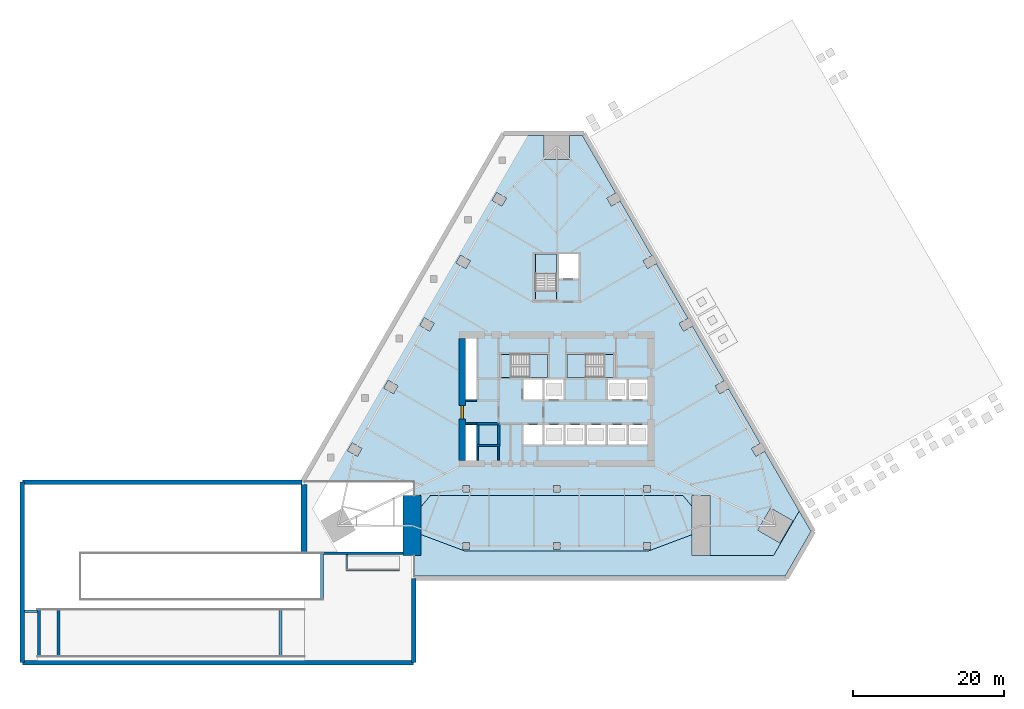
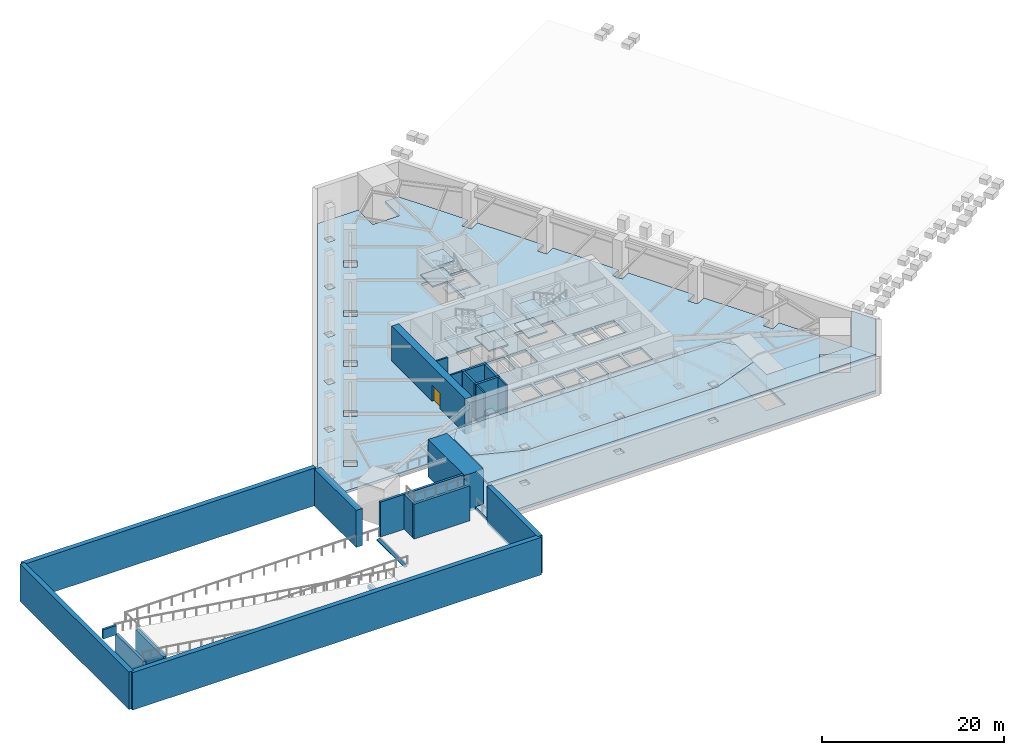
# One storey, part 3 of 9: 23 walls, 12 slabs, 1 door, 1 opening, 3 elements without a shape of their own.
"""IFC4 building model written with IfcOpenShell, lengths in metres."""

from ifc_helpers import new_model, si_unit, direction, frame, frame_2d, origin, place, context, subcontext, project, spatial, polyline, rectangle, outline, extrude, material, layer, layer_set, type_object, element, fill, aggregate, save


model = new_model("IFC4")

# Units and contexts
model_context = context("Model", 3, precision=1e-05, world=origin(), true_north=direction((0.0, 1.0)))
body_context = subcontext(model_context, "Body", "Model", "MODEL_VIEW")
ifc_project = project(units=[si_unit("LENGTHUNIT", "METRE"), si_unit("AREAUNIT", "SQUARE_METRE"), si_unit("VOLUMEUNIT", "CUBIC_METRE"), si_unit("PLANEANGLEUNIT", "RADIAN"), si_unit("MASSUNIT", "GRAM", prefix="KILO")], contexts=[model_context])

# Site, building, storey
site_placement = place(None, origin())
site = spatial("IfcSite", under=ifc_project, at=site_placement, CompositionType="ELEMENT")
building_placement = place(site_placement, origin())
building = spatial("IfcBuilding", under=site, at=building_placement, Name="Firuza Gate Tower and Library", CompositionType="ELEMENT")
storey_placement = place(building_placement, frame((0.0, 0.0, -5.0)))
storey = spatial("IfcBuildingStorey", under=building, at=storey_placement, Name="B1", CompositionType="ELEMENT", Elevation=-5.0)

# Slabs
ifc_material_1 = material(Name="Concrete C40/50", Category="concrete")
ifc_layer_1 = layer(ifc_material_1, 0.300048828125)
ifc_layer_set_1 = layer_set([ifc_layer_1], Name="Apron deck 300 C40/50")
slab_type_1 = type_object("IfcSlabType", Name="Apron deck 300 C40/50", PredefinedType="FLOOR", material=ifc_layer_set_1)
slab_1_placement = place(storey_placement, frame((0.0, 0.0, 4.550048828125)))
element("IfcSlab", 1, at=slab_1_placement, inside=storey, type_object=slab_type_1, Name="Apron deck over basement", PredefinedType="FLOOR", context=body_context, shape_type="SweptSolid", body=[
    extrude(outline(polyline([(56.0, 51.515380859375), (105.35888671875, 51.515380859375), (108.78564453125, 57.45068359375), (107.226806640625, 60.15087890625), (103.800048828125, 54.21533203125), (93.0, 54.21533203125), (93.0, 57.017822265625), (87.245849609375, 54.85986328125), (87.23681640625, 54.856689453125), (87.21240234375, 54.848388671875), (87.1982421875, 54.843994140625), (87.185302734375, 54.84033203125), (87.1708984375, 54.836669921875), (87.14599609375, 54.830810546875), (87.131591796875, 54.827880859375), (87.1181640625, 54.825439453125), (87.103759765625, 54.8232421875), (87.078125, 54.81982421875), (87.0634765625, 54.818359375), (87.050048828125, 54.817138671875), (87.035400390625, 54.81640625), (87.009521484375, 54.8154296875), (87.0, 54.8154296875), (63.0, 54.8154296875), (62.990478515625, 54.8154296875), (62.964599609375, 54.81640625), (62.949951171875, 54.817138671875), (62.9365234375, 54.818359375), (62.921875, 54.81982421875), (62.896240234375, 54.8232421875), (62.8818359375, 54.825439453125), (62.868408203125, 54.827880859375), (62.85400390625, 54.830810546875), (62.8291015625, 54.836669921875), (62.814697265625, 54.84033203125), (62.8017578125, 54.843994140625), (62.78759765625, 54.848388671875), (62.76318359375, 54.856689453125), (62.754150390625, 54.85986328125), (57.0, 57.017822265625), (57.0, 54.21533203125), (56.0, 54.21533203125), (56.0, 51.515380859375)])), origin(), (0.0, 0.0, 1.0), 0.300048828125),
])
ifc_material_2 = material(Name="Concrete C40/50", Category="concrete")
ifc_layer_2 = layer(ifc_material_2, 0.14990234375)
ifc_layer_set_2 = layer_set([ifc_layer_2], Name="Apron deck over beams 150 C40/50")
slab_type_2 = type_object("IfcSlabType", Name="Apron deck over beams 150 C40/50", PredefinedType="FLOOR", material=ifc_layer_set_2)
slab_2_placement = place(storey_placement, frame((0.0, 0.0, 4.699951171875)))
element("IfcSlab", 2, at=slab_2_placement, inside=storey, type_object=slab_type_2, Name="Apron deck over basement beams", PredefinedType="FLOOR", context=body_context, shape_type="SweptSolid", body=[
    extrude(outline(polyline([(57.0, 60.744873046875), (57.0, 57.017822265625), (62.754150390625, 54.85986328125), (62.76318359375, 54.856689453125), (62.78759765625, 54.848388671875), (62.8017578125, 54.843994140625), (62.814697265625, 54.84033203125), (62.8291015625, 54.836669921875), (62.85400390625, 54.830810546875), (62.868408203125, 54.827880859375), (62.8818359375, 54.825439453125), (62.896240234375, 54.8232421875), (62.921875, 54.81982421875), (62.9365234375, 54.818359375), (62.949951171875, 54.817138671875), (62.964599609375, 54.81640625), (62.990478515625, 54.8154296875), (63.0, 54.8154296875), (87.0, 54.8154296875), (87.009521484375, 54.8154296875), (87.035400390625, 54.81640625), (87.050048828125, 54.817138671875), (87.0634765625, 54.818359375), (87.078125, 54.81982421875), (87.103759765625, 54.8232421875), (87.1181640625, 54.825439453125), (87.131591796875, 54.827880859375), (87.14599609375, 54.830810546875), (87.1708984375, 54.836669921875), (87.185302734375, 54.84033203125), (87.1982421875, 54.843994140625), (87.21240234375, 54.848388671875), (87.23681640625, 54.856689453125), (87.245849609375, 54.85986328125), (93.0, 57.017822265625), (93.0, 60.744873046875), (91.7724609375, 62.21533203125), (58.2275390625, 62.21533203125), (57.0, 60.744873046875)]), holes=[polyline([(62.550048828125, 55.0654296875), (62.550048828125, 55.96533203125), (63.449951171875, 55.96533203125), (63.449951171875, 55.0654296875), (62.550048828125, 55.0654296875)]), polyline([(74.550048828125, 55.96533203125), (75.449951171875, 55.96533203125), (75.449951171875, 55.0654296875), (74.550048828125, 55.0654296875), (74.550048828125, 55.96533203125)]), polyline([(86.550048828125, 55.96533203125), (87.449951171875, 55.96533203125), (87.449951171875, 55.0654296875), (86.550048828125, 55.0654296875), (86.550048828125, 55.96533203125)])]), origin(), (0.0, 0.0, 1.0), 0.150146484375),
])
ifc_material_3 = material(Name="Concrete C40/50", Category="concrete")
ifc_layer_3 = layer(ifc_material_3, 0.35009765625)
ifc_layer_set_3 = layer_set([ifc_layer_3], Name="Basement slab 350 C40/50")
slab_type_3 = type_object("IfcSlabType", Name="Basement slab 350 C40/50", PredefinedType="FLOOR", material=ifc_layer_set_3)
slab_3_placement = place(storey_placement, frame((0.0, 0.0, -0.35009765625)))
element("IfcSlab", 3, at=slab_3_placement, inside=storey, type_object=slab_type_3, Name="Floor slab B1", PredefinedType="FLOOR", context=body_context, shape_type="SweptSolid", body=[
    extrude(outline(polyline([(68.109130859375, 110.033935546875), (41.531494140625, 64.0), (56.0, 64.0), (56.0, 62.21533203125), (57.0, 62.21533203125), (57.0, 54.21533203125), (56.0, 54.21533203125), (56.0, 51.515380859375), (105.35888671875, 51.515380859375), (108.78564453125, 57.45068359375), (102.64013671875, 68.094970703125), (101.470947265625, 67.419921875), (100.87109375, 68.459228515625), (102.040283203125, 69.13427734375), (97.840087890625, 76.408935546875), (96.671142578125, 75.73388671875), (96.071044921875, 76.773193359375), (97.240234375, 77.447998046875), (93.040283203125, 84.72265625), (91.87109375, 84.047607421875), (91.27099609375, 85.0869140625), (92.440185546875, 85.761962890625), (88.240234375, 93.03662109375), (87.071044921875, 92.361572265625), (86.470947265625, 93.40087890625), (87.64013671875, 94.07568359375), (83.440185546875, 101.350341796875), (82.27099609375, 100.67529296875), (81.671142578125, 101.714599609375), (82.840087890625, 102.3896484375), (78.4267578125, 110.033935546875), (76.699951171875, 110.033935546875), (76.699951171875, 106.833740234375), (73.300048828125, 106.833740234375), (73.300048828125, 110.033935546875), (68.109130859375, 110.033935546875)]), holes=[polyline([(62.550048828125, 55.0654296875), (62.550048828125, 55.96533203125), (63.449951171875, 55.96533203125), (63.449951171875, 55.0654296875), (62.550048828125, 55.0654296875)]), polyline([(62.550048828125, 62.665283203125), (62.550048828125, 63.5654296875), (63.449951171875, 63.5654296875), (63.449951171875, 62.665283203125), (62.550048828125, 62.665283203125)]), polyline([(44.5302734375, 67.7236328125), (45.430419921875, 67.7236328125), (45.430419921875, 66.82373046875), (44.5302734375, 66.82373046875), (44.5302734375, 67.7236328125)]), polyline([(49.12890625, 68.459228515625), (48.529052734375, 67.419921875), (47.22998046875, 68.169921875), (47.829833984375, 69.209228515625), (49.12890625, 68.459228515625)]), polyline([(49.08984375, 74.720947265625), (49.08984375, 75.620849609375), (49.98974609375, 75.620849609375), (49.98974609375, 74.720947265625), (49.08984375, 74.720947265625)]), polyline([(53.928955078125, 76.773193359375), (53.328857421875, 75.73388671875), (52.02978515625, 76.48388671875), (52.6298828125, 77.523193359375), (53.928955078125, 76.773193359375)]), polyline([(53.6494140625, 83.518310546875), (54.54931640625, 83.518310546875), (54.54931640625, 82.6181640625), (53.6494140625, 82.6181640625), (53.6494140625, 83.518310546875)]), polyline([(57.429931640625, 85.8369140625), (58.72900390625, 85.0869140625), (58.12890625, 84.047607421875), (56.829833984375, 84.797607421875), (57.429931640625, 85.8369140625)]), polyline([(58.208984375, 90.515625), (58.208984375, 91.41552734375), (59.10888671875, 91.41552734375), (59.10888671875, 90.515625), (58.208984375, 90.515625)]), polyline([(62.22998046875, 94.15087890625), (63.529052734375, 93.40087890625), (62.928955078125, 92.361572265625), (61.6298828125, 93.111572265625), (62.22998046875, 94.15087890625)]), polyline([(62.768310546875, 99.31298828125), (63.66845703125, 99.31298828125), (63.66845703125, 98.412841796875), (62.768310546875, 98.412841796875), (62.768310546875, 99.31298828125)]), polyline([(74.550048828125, 55.96533203125), (75.449951171875, 55.96533203125), (75.449951171875, 55.0654296875), (74.550048828125, 55.0654296875), (74.550048828125, 55.96533203125)]), polyline([(74.550048828125, 62.665283203125), (74.550048828125, 63.5654296875), (75.449951171875, 63.5654296875), (75.449951171875, 62.665283203125), (74.550048828125, 62.665283203125)]), polyline([(64.35009765625, 66.89990234375), (62.89990234375, 66.89990234375), (62.89990234375, 71.60009765625), (64.35009765625, 71.60009765625), (64.35009765625, 66.89990234375)]), polyline([(70.60009765625, 69.0), (70.60009765625, 71.60009765625), (73.10009765625, 71.60009765625), (73.10009765625, 69.0), (70.60009765625, 69.0)]), polyline([(75.89990234375, 69.0), (73.39990234375, 69.0), (73.39990234375, 71.60009765625), (75.89990234375, 71.60009765625), (75.89990234375, 69.0)]), polyline([(76.199951171875, 69.0), (76.199951171875, 71.60009765625), (78.699951171875, 71.60009765625), (78.699951171875, 69.0), (76.199951171875, 69.0)]), polyline([(70.60009765625, 75.0), (70.60009765625, 77.60009765625), (73.10009765625, 77.60009765625), (73.10009765625, 75.0), (70.60009765625, 75.0)]), polyline([(75.89990234375, 75.0), (73.39990234375, 75.0), (73.39990234375, 77.60009765625), (75.89990234375, 77.60009765625), (75.89990234375, 75.0)]), polyline([(64.35009765625, 75.0), (62.89990234375, 75.0), (62.89990234375, 83.10009765625), (64.35009765625, 83.10009765625), (64.35009765625, 75.0)]), polyline([(73.81005859375, 77.89990234375), (68.9404296875, 77.89990234375), (68.9404296875, 80.97998046875), (73.81005859375, 80.97998046875), (73.81005859375, 77.89990234375)]), polyline([(72.159912109375, 94.300048828125), (75.0, 94.300048828125), (75.0, 89.470458984375), (72.159912109375, 89.470458984375), (72.159912109375, 94.300048828125)]), polyline([(75.300048828125, 91.050048828125), (75.300048828125, 94.300048828125), (77.89990234375, 94.300048828125), (77.89990234375, 91.050048828125), (75.300048828125, 91.050048828125)]), polyline([(67.02978515625, 102.464599609375), (68.328857421875, 101.714599609375), (67.72900390625, 100.67529296875), (66.429931640625, 101.42529296875), (67.02978515625, 102.464599609375)]), polyline([(67.327880859375, 107.210205078125), (68.227783203125, 107.210205078125), (68.227783203125, 106.310302734375), (67.327880859375, 106.310302734375), (67.327880859375, 107.210205078125)]), polyline([(86.550048828125, 55.0654296875), (86.550048828125, 55.96533203125), (87.449951171875, 55.96533203125), (87.449951171875, 55.0654296875), (86.550048828125, 55.0654296875)]), polyline([(95.39990234375, 62.21533203125), (95.39990234375, 54.21533203125), (93.0, 54.21533203125), (93.0, 62.21533203125), (95.39990234375, 62.21533203125)]), polyline([(101.718994140625, 57.61083984375), (103.4189453125, 60.555419921875), (106.36328125, 58.855224609375), (104.663330078125, 55.910888671875), (101.718994140625, 57.61083984375)]), polyline([(86.550048828125, 62.665283203125), (86.550048828125, 63.5654296875), (87.449951171875, 63.5654296875), (87.449951171875, 62.665283203125), (86.550048828125, 62.665283203125)]), polyline([(79.0, 69.0), (79.0, 71.60009765625), (81.5, 71.60009765625), (81.5, 69.0), (79.0, 69.0)]), polyline([(84.300048828125, 69.0), (81.800048828125, 69.0), (81.800048828125, 71.60009765625), (84.300048828125, 71.60009765625), (84.300048828125, 69.0)]), polyline([(84.60009765625, 69.0), (84.60009765625, 71.60009765625), (87.10009765625, 71.60009765625), (87.10009765625, 69.0), (84.60009765625, 69.0)]), polyline([(81.800048828125, 75.0), (81.800048828125, 77.60009765625), (84.300048828125, 77.60009765625), (84.300048828125, 75.0), (81.800048828125, 75.0)]), polyline([(87.10009765625, 75.0), (84.60009765625, 75.0), (84.60009765625, 77.60009765625), (87.10009765625, 77.60009765625), (87.10009765625, 75.0)]), polyline([(76.389892578125, 77.89990234375), (76.389892578125, 80.97998046875), (81.259521484375, 80.97998046875), (81.259521484375, 77.89990234375), (76.389892578125, 77.89990234375)])]), origin(), (0.0, 0.0, 1.0), 0.35009765625),
])

# Stair, slabs
ifc_material_4 = material(Name="Concrete C35/45", Category="concrete")
stair_type_1 = type_object("IfcStairType", Name="Exit stair ST2", PredefinedType="HALF_TURN_STAIR", material=ifc_material_4)
placement_1 = place(storey_placement, origin())
stair_1 = element("IfcStair", 4, at=placement_1, inside=storey, type_object=stair_type_1, Name="B1 Stair ST1", PredefinedType="HALF_TURN_STAIR")
ifc_material_5 = material(Name="Concrete C35/45", Category="concrete")
ifc_layer_4 = layer(ifc_material_5, 0.199951171875)
ifc_layer_set_4 = layer_set([ifc_layer_4], Name="Stair landing 200")
slab_type_4 = type_object("IfcSlabType", Name="Stair landing 200", PredefinedType="LANDING", material=ifc_layer_set_4)
placement_2 = place(storey_placement, frame((0.0, 0.0, 1.050048828125)))
slab_4 = element("IfcSlab", 5, at=placement_2, type_object=slab_type_4, Name="ST1 landing 1", PredefinedType="LANDING", context=body_context, shape_type="SweptSolid", body=[
    extrude(outline(polyline([(71.35498046875, 77.89990234375), (73.81005859375, 77.89990234375), (73.81005859375, 80.97998046875), (71.35498046875, 80.97998046875), (71.35498046875, 77.89990234375)])), origin(), (0.0, 0.0, 1.0), 0.199951171875),
])
placement_3 = place(storey_placement, frame((0.0, 0.0, 2.300048828125)))
slab_5 = element("IfcSlab", 6, at=placement_3, type_object=slab_type_4, Name="ST1 landing 2", PredefinedType="LANDING", context=body_context, shape_type="SweptSolid", body=[
    extrude(outline(polyline([(67.449951171875, 77.89990234375), (68.93994140625, 77.89990234375), (68.93994140625, 80.97998046875), (67.449951171875, 80.97998046875), (67.449951171875, 77.89990234375)])), origin(), (0.0, 0.0, 1.0), 0.199951171875),
])
placement_4 = place(storey_placement, frame((0.0, 0.0, 3.550048828125)))
slab_6 = element("IfcSlab", 7, at=placement_4, type_object=slab_type_4, Name="ST1 landing 3", PredefinedType="LANDING", context=body_context, shape_type="SweptSolid", body=[
    extrude(outline(polyline([(71.35498046875, 77.89990234375), (73.81005859375, 77.89990234375), (73.81005859375, 80.97998046875), (71.35498046875, 80.97998046875), (71.35498046875, 77.89990234375)])), origin(), (0.0, 0.0, 1.0), 0.199951171875),
])
aggregate(stair_1, [slab_4, slab_5, slab_6])

stair_2 = element("IfcStair", 8, at=placement_1, inside=storey, type_object=stair_type_1, Name="B1 Stair ST2", PredefinedType="HALF_TURN_STAIR")
slab_7 = element("IfcSlab", 9, at=placement_2, type_object=slab_type_4, Name="ST2 landing 1", PredefinedType="LANDING", context=body_context, shape_type="SweptSolid", body=[
    extrude(outline(polyline([(78.844970703125, 80.97998046875), (76.389892578125, 80.97998046875), (76.389892578125, 77.89990234375), (78.844970703125, 77.89990234375), (78.844970703125, 80.97998046875)])), origin(), (0.0, 0.0, 1.0), 0.199951171875),
])
slab_8 = element("IfcSlab", 10, at=placement_3, type_object=slab_type_4, Name="ST2 landing 2", PredefinedType="LANDING", context=body_context, shape_type="SweptSolid", body=[
    extrude(outline(polyline([(82.75, 80.97998046875), (81.260009765625, 80.97998046875), (81.260009765625, 77.89990234375), (82.75, 77.89990234375), (82.75, 80.97998046875)])), origin(), (0.0, 0.0, 1.0), 0.199951171875),
])
slab_9 = element("IfcSlab", 11, at=placement_4, type_object=slab_type_4, Name="ST2 landing 3", PredefinedType="LANDING", context=body_context, shape_type="SweptSolid", body=[
    extrude(outline(polyline([(78.844970703125, 80.97998046875), (76.389892578125, 80.97998046875), (76.389892578125, 77.89990234375), (78.844970703125, 77.89990234375), (78.844970703125, 80.97998046875)])), origin(), (0.0, 0.0, 1.0), 0.199951171875),
])
aggregate(stair_2, [slab_7, slab_8, slab_9])

ifc_material_6 = material(Name="Concrete C35/45", Category="concrete")
stair_type_2 = type_object("IfcStairType", Name="Exit stair ST11", PredefinedType="HALF_TURN_STAIR", material=ifc_material_6)
stair_3 = element("IfcStair", 12, at=placement_1, inside=storey, type_object=stair_type_2, Name="B1 Stair ST3", PredefinedType="HALF_TURN_STAIR")
slab_10 = element("IfcSlab", 13, at=placement_2, type_object=slab_type_4, Name="ST3 landing 1", PredefinedType="LANDING", context=body_context, shape_type="SweptSolid", body=[
    extrude(outline(polyline([(75.0, 91.7099609375), (75.0, 94.300048828125), (72.159912109375, 94.300048828125), (72.159912109375, 91.7099609375), (75.0, 91.7099609375)])), origin(), (0.0, 0.0, 1.0), 0.199951171875),
])
slab_11 = element("IfcSlab", 14, at=placement_3, type_object=slab_type_4, Name="ST3 landing 2", PredefinedType="LANDING", context=body_context, shape_type="SweptSolid", body=[
    extrude(outline(polyline([(75.0, 88.10009765625), (75.0, 89.469970703125), (72.159912109375, 89.469970703125), (72.159912109375, 88.10009765625), (75.0, 88.10009765625)])), origin(), (0.0, 0.0, 1.0), 0.199951171875),
])
slab_12 = element("IfcSlab", 15, at=placement_4, type_object=slab_type_4, Name="ST3 landing 3", PredefinedType="LANDING", context=body_context, shape_type="SweptSolid", body=[
    extrude(outline(polyline([(75.0, 91.7099609375), (75.0, 94.300048828125), (72.159912109375, 94.300048828125), (72.159912109375, 91.7099609375), (75.0, 91.7099609375)])), origin(), (0.0, 0.0, 1.0), 0.199951171875),
])
aggregate(stair_3, [slab_10, slab_11, slab_12])

# Walls
ifc_material_7 = material(Name="Plasterboard on steel studs", Category="steel")
ifc_layer_5 = layer(ifc_material_7, 0.199951171875)
ifc_layer_set_5 = layer_set([ifc_layer_5], Name="Core partition 200 EI 120")
wall_type_1 = type_object("IfcWallType", Name="Core partition 200 EI 120", PredefinedType="PARTITIONING", material=ifc_layer_set_5)
for number, where, z_axis, x_axis, name in (
    (16, (62.89990234375, 71.75, 0.0), (0.0, 0.0, 1.0), (1.0, 0.0, 0.0), "Core partition B1 1"),
    (17, (62.89990234375, 74.85009765625, 0.0), (0.0, 0.0, 1.0), (1.0, 0.0, 0.0), "Core partition B1 3"),
):
    element("IfcWall", number, at=place(storey_placement, frame(where, z_axis=z_axis, x_axis=x_axis)), inside=storey, type_object=wall_type_1, Name=name, PredefinedType="PARTITIONING", context=body_context, shape_type="SweptSolid", body=[
        extrude(rectangle(XDim=1.4501953125, YDim=0.199951171875, at=frame_2d((0.72509765625, 0.0))), origin(), (0.0, 0.0, 1.0), 4.699951171875),
    ])
for number, where, z_axis, x_axis, name in (
    (18, (64.5, 66.89990234375, 0.0), (0.0, 0.0, 1.0), (0.0, 1.0, 0.0), "Core partition B1 5"),
    (19, (67.300048828125, 66.89990234375, 0.0), (0.0, 0.0, 1.0), (0.0, 1.0, 0.0), "Core partition B1 7"),
):
    element("IfcWall", number, at=place(storey_placement, frame(where, z_axis=z_axis, x_axis=x_axis)), inside=storey, type_object=wall_type_1, Name=name, PredefinedType="PARTITIONING", context=body_context, shape_type="SweptSolid", body=[
        extrude(rectangle(XDim=1.800048828125, YDim=0.199951171875, at=frame_2d((0.89990234375, 0.0))), origin(), (0.0, 0.0, 1.0), 4.699951171875),
    ])
ifc_material_8 = material(Name="Concrete C80/95", Category="concrete")
ifc_layer_6 = layer(ifc_material_8, 0.300048828125)
ifc_layer_set_6 = layer_set([ifc_layer_6], Name="Core wall 300 C80/95")
wall_type_2 = type_object("IfcWallType", Name="Core wall 300 C80/95", PredefinedType="SHEAR", material=ifc_layer_set_6)
for number, where, z_axis, x_axis, name in (
    (20, (64.35009765625, 68.85009765625, 0.0), (0.0, 0.0, 1.0), (1.0, 0.0, 0.0), "Core wall B1 5"),
    (21, (64.35009765625, 71.75, 0.0), (0.0, 0.0, 1.0), (1.0, 0.0, 0.0), "Core wall B1 7"),
):
    element("IfcWall", number, at=place(storey_placement, frame(where, z_axis=z_axis, x_axis=x_axis)), inside=storey, type_object=wall_type_2, Name=name, PredefinedType="SHEAR", context=body_context, shape_type="SweptSolid", body=[
        extrude(rectangle(XDim=3.099853515625, YDim=0.300048828125, at=frame_2d((1.5498046875, 0.0))), origin(), (0.0, 0.0, 1.0), 4.699951171875),
    ])
for number, where, z_axis, x_axis, name in (
    (22, (64.5, 69.0, 0.0), (0.0, 0.0, 1.0), (0.0, 1.0, 0.0), "Core wall B1 11"),
    (23, (67.300048828125, 69.0, 0.0), (0.0, 0.0, 1.0), (0.0, 1.0, 0.0), "Core wall B1 13"),
):
    element("IfcWall", number, at=place(storey_placement, frame(where, z_axis=z_axis, x_axis=x_axis)), inside=storey, type_object=wall_type_2, Name=name, PredefinedType="SHEAR", context=body_context, shape_type="SweptSolid", body=[
        extrude(rectangle(XDim=2.60009765625, YDim=0.300048828125, at=frame_2d((1.300048828125, 0.0))), origin(), (0.0, 0.0, 1.0), 4.699951171875),
    ])

# Wall, opening, door
ifc_material_9 = material(Name="Concrete C80/95", Category="concrete")
ifc_layer_7 = layer(ifc_material_9, 0.89990234375)
ifc_layer_set_7 = layer_set([ifc_layer_7], Name="Core wall 900 C80/95")
wall_type_3 = type_object("IfcWallType", Name="Core wall 900 C80/95", PredefinedType="SHEAR", material=ifc_layer_set_7)
wall_1_placement = place(storey_placement, frame((62.449951171875, 66.89990234375, 0.0), z_axis=(0.0, 0.0, 1.0), x_axis=(0.0, 1.0, 0.0)))
wall_1 = element("IfcWall", 24, at=wall_1_placement, inside=storey, type_object=wall_type_3, Name="Core wall B1 3", PredefinedType="SHEAR", context=body_context, shape_type="SweptSolid", body=[
    extrude(rectangle(XDim=16.2001953125, YDim=0.89990234375, at=frame_2d((8.10009765625, 0.0))), origin(), (0.0, 0.0, 1.0), 4.699951171875),
])
opening_placement = place(wall_1_placement, frame((5.5, 0.0, 0.0)))
opening = element("IfcOpeningElement", 25, at=opening_placement, cuts=wall_1, Name="Opening B1-K22", PredefinedType="OPENING", context=body_context, shape_type="SweptSolid", body=[
    extrude(rectangle(XDim=1.800048828125, YDim=2.10009765625, at=frame_2d((0.89990234375, 1.050048828125))), frame((0.0, 0.4599609375, 0.0), z_axis=(0.0, -1.0, 0.0), x_axis=(1.0, 0.0, 0.0)), (0.0, 0.0, 1.0), 0.919921875),
])
ifc_material_10 = material(Name="Steel", Category="steel")
door_type = type_object("IfcDoorType", Name="Fire door 1800x2100 FD30S", OperationType="NOTDEFINED", PredefinedType="DOOR", material=ifc_material_10)
door_placement = place(opening_placement, origin())
door = element("IfcDoor", 26, at=door_placement, inside=storey, type_object=door_type, Name="Door B1-K22", OperationType="SINGLE_SWING_LEFT", OverallHeight=2.10009765625, OverallWidth=1.800048828125, PredefinedType="DOOR", context=body_context, shape_type="SweptSolid", body=[
    extrude(rectangle(XDim=1.800048828125, YDim=2.10009765625, at=frame_2d((0.89990234375, 1.050048828125))), frame((0.0, 0.169921875, 0.0), z_axis=(0.0, -1.0, 0.0), x_axis=(1.0, 0.0, 0.0)), (0.0, 0.0, 1.0), 0.33984375),
])
fill(opening, door)

# Walls
ifc_material_11 = material(Name="Concrete C80/95", Category="concrete")
ifc_layer_8 = layer(ifc_material_11, 2.39990234375)
ifc_layer_set_8 = layer_set([ifc_layer_8], Name="Iwan wall 2400 C80/95")
wall_type_4 = type_object("IfcWallType", Name="Iwan wall 2400 C80/95", PredefinedType="SHEAR", material=ifc_layer_set_8)
wall_2_placement = place(storey_placement, frame((55.800048828125, 54.21533203125, -0.35009765625), z_axis=(0.0, 0.0, 1.0), x_axis=(0.0, 1.0, 0.0)))
element("IfcWall", 27, at=wall_2_placement, inside=storey, type_object=wall_type_4, Name="Iwan wall W B1", PredefinedType="SHEAR", context=body_context, shape_type="SweptSolid", body=[
    extrude(rectangle(XDim=8.0, YDim=2.39990234375, at=frame_2d((4.0, 0.0))), origin(), (0.0, 0.0, 1.0), 5.050048828125),
])
ifc_material_12 = material(Name="Concrete C40/50", Category="concrete")
ifc_layer_9 = layer(ifc_material_12, 0.300048828125)
ifc_layer_set_9 = layer_set([ifc_layer_9], Name="Ramp pit wall 300 C40/50")
wall_type_5 = type_object("IfcWallType", Name="Ramp pit wall 300 C40/50", PredefinedType="SOLIDWALL", material=ifc_layer_set_9)
wall_3_placement = place(storey_placement, frame((44.0, 54.550048828125, 0.0), z_axis=(0.0, 0.0, 1.0), x_axis=(1.0, 0.0, 0.0)))
element("IfcWall", 28, at=wall_3_placement, inside=storey, type_object=wall_type_5, Name="Ramp pit wall B1 south", PredefinedType="SOLIDWALL", context=body_context, shape_type="SweptSolid", body=[
    extrude(rectangle(XDim=10.60009765625, YDim=0.300048828125, at=frame_2d((5.300048828125, 0.0))), origin(), (0.0, 0.0, 1.0), 4.699951171875),
])
wall_4_placement = place(storey_placement, frame((47.0, 52.35009765625, 0.0), z_axis=(0.0, 0.0, 1.0), x_axis=(1.0, 0.0, 0.0)))
element("IfcWall", 29, at=wall_4_placement, inside=storey, type_object=wall_type_5, Name="Entrance apron wall", PredefinedType="SOLIDWALL", context=body_context, shape_type="SweptSolid", body=[
    extrude(rectangle(XDim=7.10009765625, YDim=0.300048828125, at=frame_2d((3.550048828125, 0.0))), origin(), (0.0, 0.0, 1.0), 4.699951171875),
])
wall_5_placement = place(storey_placement, frame((47.14990234375, 52.5, 0.0), z_axis=(0.0, 0.0, 1.0), x_axis=(0.0, 1.0, 0.0)))
element("IfcWall", 30, at=wall_5_placement, inside=storey, type_object=wall_type_5, Name="Entrance apron wall west", PredefinedType="SOLIDWALL", context=body_context, shape_type="SweptSolid", body=[
    extrude(rectangle(XDim=1.89990234375, YDim=0.300048828125, at=frame_2d((0.949951171875, 0.0))), origin(), (0.0, 0.0, 1.0), 4.699951171875),
])
wall_6_placement = place(storey_placement, frame((4.300048828125, 46.85009765625, 4.85009765625), z_axis=(0.0, 0.0, 1.0), x_axis=(1.0, 0.0, 0.0)))
element("IfcWall", 31, at=wall_6_placement, inside=storey, type_object=wall_type_5, Name="Car ramp 1 landing parapet", PredefinedType="SOLIDWALL", context=body_context, shape_type="SweptSolid", body=[
    extrude(rectangle(XDim=1.699951171875, YDim=0.300048828125, at=frame_2d((0.85009765625, 0.0))), origin(), (0.0, 0.0, 1.0), 1.25),
])
ifc_material_13 = material(Name="Concrete C40/50", Category="concrete")
ifc_layer_10 = layer(ifc_material_13, 0.800048828125)
ifc_layer_set_10 = layer_set([ifc_layer_10], Name="Ramp pit wall 800 C40/50")
wall_type_6 = type_object("IfcWallType", Name="Ramp pit wall 800 C40/50", PredefinedType="SOLIDWALL", material=ifc_layer_set_10)
wall_7_placement = place(storey_placement, frame((41.39990234375, 54.550048828125, -0.430908203125), z_axis=(0.0, 0.0, 1.0), x_axis=(0.0, 1.0, 0.0)))
element("IfcWall", 32, at=wall_7_placement, inside=storey, type_object=wall_type_6, Name="Ramp pit wall B1", PredefinedType="SOLIDWALL", context=body_context, shape_type="SweptSolid", body=[
    extrude(rectangle(XDim=9.14990234375, YDim=0.800048828125, at=frame_2d((4.574951171875, 0.0))), origin(), (0.0, 0.0, 1.0), 4.98095703125),
])
ifc_material_14 = material(Name="Concrete C40/50", Category="concrete")
ifc_layer_11 = layer(ifc_material_14, 0.39990234375)
ifc_layer_set_11 = layer_set([ifc_layer_11], Name="Ramp support wall 400")
wall_type_7 = type_object("IfcWallType", Name="Ramp support wall 400", PredefinedType="SOLIDWALL", material=ifc_layer_set_11)
wall_8_placement = place(storey_placement, frame((8.800048828125, 40.89990234375, -0.35009765625), z_axis=(0.0, 0.0, 1.0), x_axis=(0.0, 1.0, 0.0)))
element("IfcWall", 33, at=wall_8_placement, inside=storey, type_object=wall_type_7, Name="Ramp support wall R1:J1 B1", PredefinedType="SOLIDWALL", context=body_context, shape_type="SweptSolid", body=[
    extrude(rectangle(XDim=6.10009765625, YDim=0.39990234375, at=frame_2d((3.050048828125, 0.0))), origin(), (0.0, 0.0, 1.0), 4.81689453125),
])
wall_9_placement = place(storey_placement, frame((38.300048828125, 40.89990234375, -0.35009765625), z_axis=(0.0, 0.0, 1.0), x_axis=(0.0, 1.0, 0.0)))
element("IfcWall", 34, at=wall_9_placement, inside=storey, type_object=wall_type_7, Name="Ramp support wall R1:J2 B1", PredefinedType="SOLIDWALL", context=body_context, shape_type="SweptSolid", body=[
    extrude(rectangle(XDim=6.10009765625, YDim=0.39990234375, at=frame_2d((3.050048828125, 0.0))), origin(), (0.0, 0.0, 1.0), 0.4833984375),
])
wall_10_placement = place(storey_placement, frame((6.0, 43.949951171875, -0.35009765625), z_axis=(0.0, 0.0, 1.0), x_axis=(1.0, 0.0, 0.0)))
element("IfcWall", 35, at=wall_10_placement, inside=storey, type_object=wall_type_7, Name="Ramp support wall R1:H B1", PredefinedType="SOLIDWALL", context=body_context, shape_type="SweptSolid", body=[
    extrude(outline(polyline([(0.0, 0.0), (0.39990234375, 0.0), (0.39990234375, 5.105712890625), (0.0, 5.150146484375), (0.0, 0.0)])), frame((0.0, 3.050048828125, 0.0), z_axis=(0.0, -1.0, 0.0), x_axis=(1.0, 0.0, 0.0)), (0.0, 0.0, 1.0), 6.10009765625),
])
wall_11_placement = place(storey_placement, frame((43.60009765625, 51.5, -0.35009765625), z_axis=(0.0, 0.0, 1.0), x_axis=(1.0, 0.0, 0.0)))
element("IfcWall", 36, at=wall_11_placement, inside=storey, type_object=wall_type_7, Name="Ramp support wall R2:H B1", PredefinedType="SOLIDWALL", context=body_context, shape_type="SweptSolid", body=[
    extrude(outline(polyline([(0.0, 0.0), (0.39990234375, 0.0), (0.39990234375, 0.150146484375), (0.0, 0.105712890625), (0.0, 0.0)])), frame((0.0, 3.050048828125, 0.0), z_axis=(0.0, -1.0, 0.0), x_axis=(1.0, 0.0, 0.0)), (0.0, 0.0, 1.0), 6.10009765625),
])
ifc_material_15 = material(Name="Concrete C40/50", Category="concrete")
ifc_layer_12 = layer(ifc_material_15, 0.60009765625)
ifc_layer_set_12 = layer_set([ifc_layer_12], Name="Retaining wall 600 C40/50")
wall_type_8 = type_object("IfcWallType", Name="Retaining wall 600 C40/50", PredefinedType="SOLIDWALL", material=ifc_layer_set_12)
wall_12_placement = place(storey_placement, frame((41.18505859375, 64.0, -0.35009765625), z_axis=(0.0, 0.0, 1.0), x_axis=(-1.0, 0.0, 0.0)))
element("IfcWall", 37, at=wall_12_placement, inside=storey, type_object=wall_type_8, Name="Retaining wall B1 6", PredefinedType="SOLIDWALL", context=body_context, shape_type="SweptSolid", body=[
    extrude(rectangle(XDim=37.18505859375, YDim=0.60009765625, at=frame_2d((18.592529296875, 0.0))), origin(), (0.0, 0.0, 1.0), 5.050048828125),
])
wall_13_placement = place(storey_placement, frame((4.0, 64.0, -0.35009765625), z_axis=(0.0, 0.0, 1.0), x_axis=(0.0, -1.0, 0.0)))
element("IfcWall", 38, at=wall_13_placement, inside=storey, type_object=wall_type_8, Name="Retaining wall B1 7", PredefinedType="SOLIDWALL", context=body_context, shape_type="SweptSolid", body=[
    extrude(rectangle(XDim=24.0, YDim=0.60009765625, at=frame_2d((12.0, 0.0))), origin(), (0.0, 0.0, 1.0), 5.050048828125),
])
wall_14_placement = place(storey_placement, frame((4.0, 40.0, -0.35009765625), z_axis=(0.0, 0.0, 1.0), x_axis=(1.0, 0.0, 0.0)))
element("IfcWall", 39, at=wall_14_placement, inside=storey, type_object=wall_type_8, Name="Retaining wall B1 8", PredefinedType="SOLIDWALL", context=body_context, shape_type="SweptSolid", body=[
    extrude(rectangle(XDim=52.0, YDim=0.60009765625, at=frame_2d((26.0, 0.0))), origin(), (0.0, 0.0, 1.0), 5.050048828125),
])
wall_15_placement = place(storey_placement, frame((56.0, 40.0, -0.35009765625), z_axis=(0.0, 0.0, 1.0), x_axis=(0.0, 1.0, 0.0)))
element("IfcWall", 40, at=wall_15_placement, inside=storey, type_object=wall_type_8, Name="Retaining wall B1 9", PredefinedType="SOLIDWALL", context=body_context, shape_type="SweptSolid", body=[
    extrude(rectangle(XDim=11.21533203125, YDim=0.60009765625, at=frame_2d((5.607666015625, 0.0))), origin(), (0.0, 0.0, 1.0), 5.050048828125),
])

save(model, "model.ifc")
